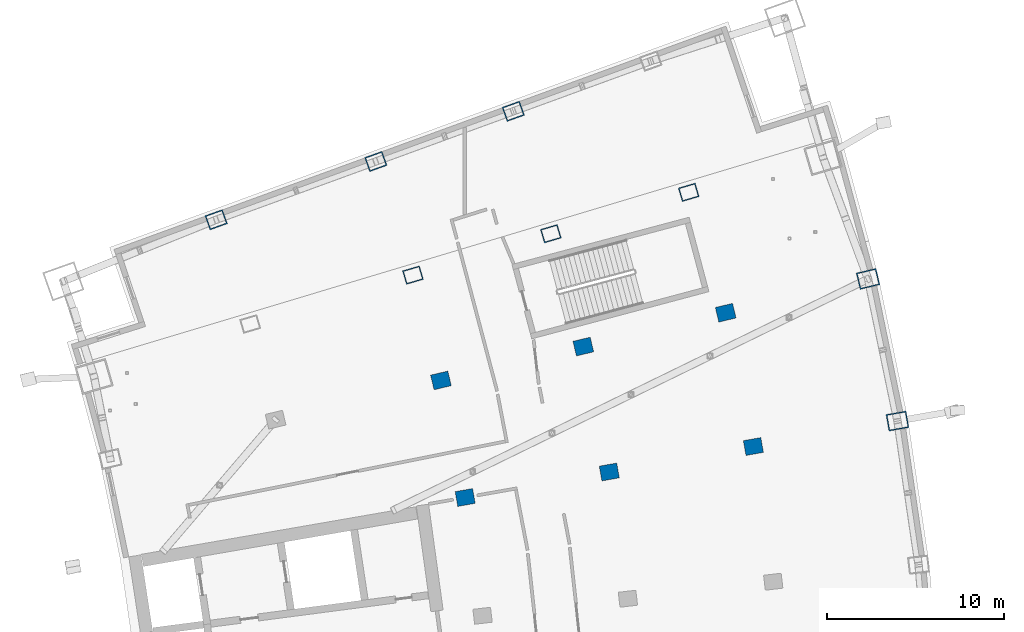
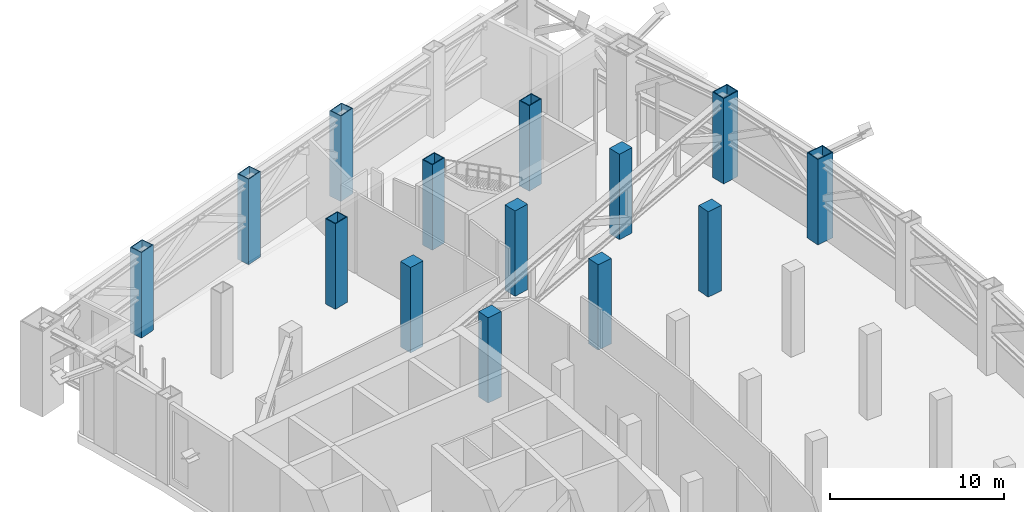
# One storey, part 7 of 26: 14 columns.
"""IFC4 building model written with IfcOpenShell, lengths in metres."""

from ifc_helpers import new_model, si_unit, direction, frame, origin, origin_2d, place, context, subcontext, project, spatial, rectangle, hollow_rectangle, extrude, material, material_profile, profile_set, type_object, element, save


model = new_model("IFC4")

# Units and contexts
model_context = context("Model", 3, precision=1e-05, world=origin(), true_north=direction((0.0, 1.0)))
body_context = subcontext(model_context, "Body", "Model", "MODEL_VIEW")
ifc_project = project(units=[si_unit("LENGTHUNIT", "METRE"), si_unit("AREAUNIT", "SQUARE_METRE"), si_unit("VOLUMEUNIT", "CUBIC_METRE"), si_unit("PLANEANGLEUNIT", "RADIAN"), si_unit("MASSUNIT", "GRAM", prefix="KILO")], contexts=[model_context])

# Site, building, storey
site_placement = place(None, origin())
site = spatial("IfcSite", under=ifc_project, at=site_placement, CompositionType="ELEMENT")
building_placement = place(site_placement, origin())
building = spatial("IfcBuilding", under=site, at=building_placement, Name="Alderwake Tower", CompositionType="ELEMENT")
storey_placement = place(building_placement, frame((0.0, 0.0, 132.800048828125)))
storey = spatial("IfcBuildingStorey", under=building, at=storey_placement, Name="L32", CompositionType="ELEMENT", Elevation=132.800048828125)

# Columns
ifc_material_1 = material(Name="Steel ASTM A572 Grade 50 concrete filled C70/85", Category="concrete")
ifc_material_profile_1 = material_profile(ifc_material_1, hollow_rectangle(XDim=0.85009765625, YDim=1.050048828125, WallThickness=0.06005859375, at=origin_2d()), Name="BOX 1050X850X60")
ifc_profile_set_1 = profile_set([ifc_material_profile_1], Name="Steel ASTM A572 Grade 50 concrete filled C70/85")
column_type_1 = type_object("IfcColumnType", Name="End column Z2", PredefinedType="COLUMN", material=ifc_profile_set_1)
for number, where, z_axis, x_axis, name in (
    (1, (19.965576171875, 96.8515625, 0.0), (0.0, 0.0, 1.0), (-0.337584879279, 0.9412950915, 0.0), "Column R13-C1"),
    (2, (28.983642578125, 100.143310546875, 0.0), (0.0, 0.0, 1.0), (-0.338026774049, 0.941136493834, 0.0), "Column R13-C2"),
    (3, (36.749267578125, 102.97802734375, 0.0), (0.0, 0.0, 1.0), (-0.338351987283, 0.941019623973, 0.0), "Column R13-C3"),
):
    element("IfcColumn", number, at=place(storey_placement, frame(where, z_axis=z_axis, x_axis=x_axis)), inside=storey, type_object=column_type_1, Name=name, PredefinedType="COLUMN", context=body_context, shape_type="SweptSolid", body=[
        extrude(hollow_rectangle(XDim=0.85009765625, YDim=1.050048828125, WallThickness=0.06005859375, at=origin_2d()), origin(), (0.0, 0.0, 1.0), 6.0),
    ])
ifc_material_2 = material(Name="Steel ASTM A572 Grade 50 concrete filled C70/85", Category="concrete")
ifc_material_profile_2 = material_profile(ifc_material_2, hollow_rectangle(XDim=0.800048828125, YDim=1.0, WallThickness=0.054931640625, at=origin_2d()), Name="BOX 1000X800X55")
ifc_profile_set_2 = profile_set([ifc_material_profile_2], Name="Steel ASTM A572 Grade 50 concrete filled C70/85")
column_type_2 = type_object("IfcColumnType", Name="End column Z3", PredefinedType="COLUMN", material=ifc_profile_set_2)
for number, where, z_axis, x_axis, name in (
    (4, (31.080322265625, 93.72314453125, 0.0), (0.0, 0.0, 1.0), (-0.282582549822, 0.959242984095, 0.0), "Column R12-C2"),
    (5, (38.8701171875, 96.061767578125, 0.0), (0.0, 0.0, 1.0), (-0.282909001444, 0.959146754622, 0.0), "Column R12-C3"),
    (6, (46.66015625, 98.400634765625, 0.0), (0.0, 0.0, 1.0), (-0.283195247437, 0.959062277346, 0.0), "Column R12-C4"),
):
    element("IfcColumn", number, at=place(storey_placement, frame(where, z_axis=z_axis, x_axis=x_axis)), inside=storey, type_object=column_type_2, Name=name, PredefinedType="COLUMN", context=body_context, shape_type="SweptSolid", body=[
        extrude(hollow_rectangle(XDim=0.800048828125, YDim=1.0, WallThickness=0.054931640625, at=origin_2d()), origin(), (0.0, 0.0, 1.0), 6.0),
    ])
ifc_material_3 = material(Name="Concrete C70/85", Category="concrete")
ifc_material_profile_3 = material_profile(ifc_material_3, rectangle(XDim=0.85009765625, YDim=1.0, at=origin_2d()), Name="RC 1000X850")
ifc_profile_set_3 = profile_set([ifc_material_profile_3], Name="Concrete C70/85")
column_type_3 = type_object("IfcColumnType", Name="Interior column Z2", PredefinedType="COLUMN", material=ifc_profile_set_3)
for number, where, z_axis, x_axis, name in (
    (7, (34.03125, 81.16162109375, 0.0), (0.0, 0.0, 1.0), (-0.174108800747, 0.984726421654, 0.0), "Column R10-C2"),
    (8, (42.171875, 82.60107421875, 0.0), (0.0, 0.0, 1.0), (-0.174107082075, 0.984726725529, 0.0), "Column R10-C3"),
    (9, (50.31201171875, 84.040283203125, 0.0), (0.0, 0.0, 1.0), (-0.174108800747, 0.984726421654, 0.0), "Column R10-C4"),
    (10, (32.661865234375, 87.775390625, 0.0), (0.0, 0.0, 1.0), (-0.231221547198, 0.972901123502, 0.0), "Column R11-C2"),
    (11, (40.70458984375, 89.68701171875, 0.0), (0.0, 0.0, 1.0), (-0.231221547198, 0.972901123502, 0.0), "Column R11-C3"),
    (12, (48.747314453125, 91.598388671875, 0.0), (0.0, 0.0, 1.0), (-0.231221547198, 0.972901123502, 0.0), "Column R11-C4"),
):
    element("IfcColumn", number, at=place(storey_placement, frame(where, z_axis=z_axis, x_axis=x_axis)), inside=storey, type_object=column_type_3, Name=name, PredefinedType="COLUMN", context=body_context, shape_type="SweptSolid", body=[
        extrude(rectangle(XDim=0.85009765625, YDim=1.0, at=origin_2d()), origin(), (0.0, 0.0, 1.0), 6.0),
    ])
ifc_material_4 = material(Name="Steel ASTM A572 Grade 50 concrete filled C70/85", Category="concrete")
ifc_material_profile_4 = material_profile(ifc_material_4, hollow_rectangle(XDim=0.949951171875, YDim=1.14990234375, WallThickness=0.06005859375, at=origin_2d()), Name="BOX 1150X950X60")
ifc_profile_set_4 = profile_set([ifc_material_profile_4], Name="Steel ASTM A572 Grade 50 concrete filled C70/85")
column_type_4 = type_object("IfcColumnType", Name="Perimeter column Z2", PredefinedType="COLUMN", material=ifc_profile_set_4)
for number, where, z_axis, x_axis, name in (
    (13, (58.45263671875, 85.4794921875, 0.0), (0.0, 0.0, 1.0), (-0.174108800747, 0.984726421654, 0.0), "Column R10-C5"),
    (14, (56.789794921875, 93.509765625, 0.0), (0.0, 0.0, 1.0), (-0.231221547198, 0.972901123502, 0.0), "Column R11-C5"),
):
    element("IfcColumn", number, at=place(storey_placement, frame(where, z_axis=z_axis, x_axis=x_axis)), inside=storey, type_object=column_type_4, Name=name, PredefinedType="COLUMN", context=body_context, shape_type="SweptSolid", body=[
        extrude(hollow_rectangle(XDim=0.949951171875, YDim=1.14990234375, WallThickness=0.06005859375, at=origin_2d()), origin(), (0.0, 0.0, 1.0), 6.0),
    ])

save(model, "model.ifc")
